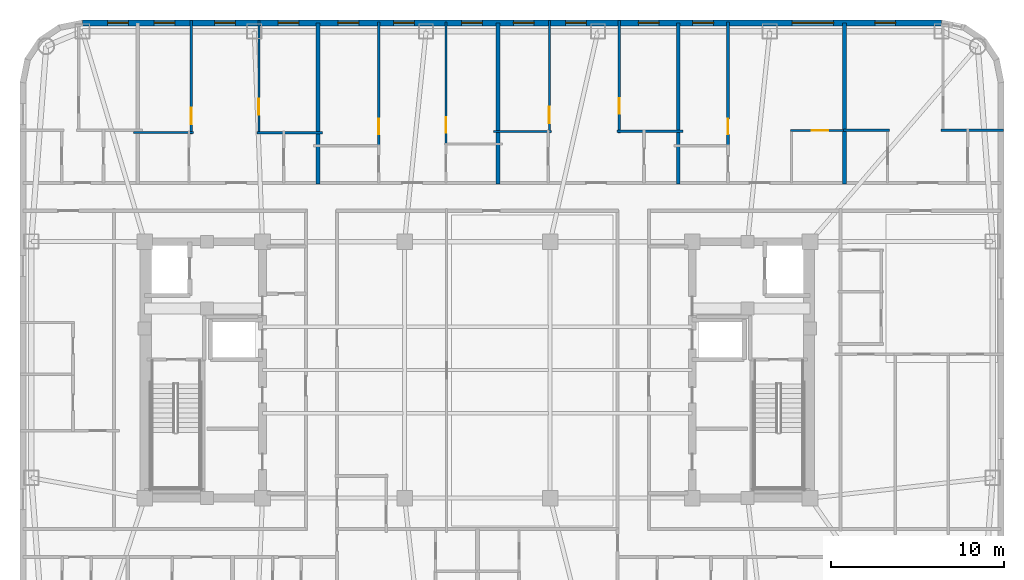
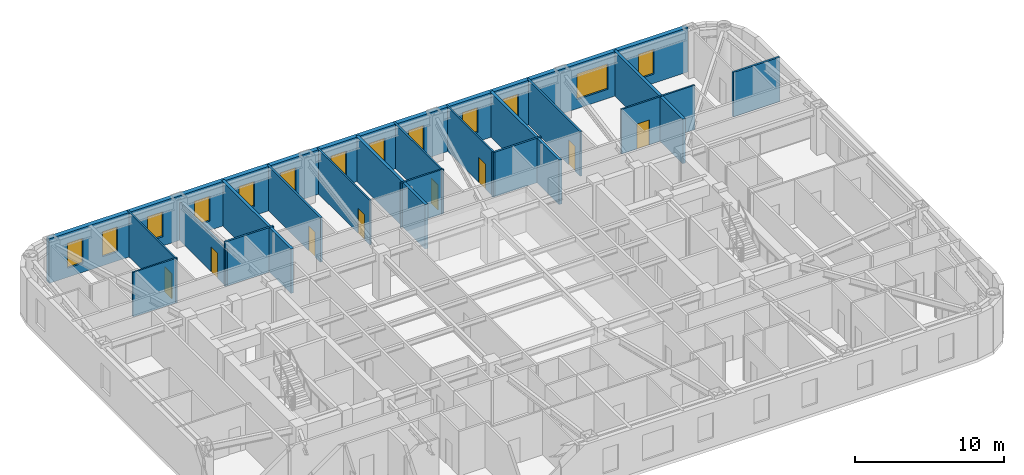
# One storey, part 8 of 11: 19 walls, 13 windows, 8 doors, 21 openings.
"""IFC4 building model written with IfcOpenShell, lengths in metres."""

from ifc_helpers import new_model, si_unit, direction, frame, frame_2d, origin, place, context, subcontext, project, spatial, rectangle, extrude, material, layer, layer_set, type_object, element, fill, save


model = new_model("IFC4")

# Units and contexts
model_context = context("Model", 3, precision=1e-05, world=origin(), true_north=direction((0.0, 1.0)))
body_context = subcontext(model_context, "Body", "Model", "MODEL_VIEW")
ifc_project = project(units=[si_unit("LENGTHUNIT", "METRE"), si_unit("AREAUNIT", "SQUARE_METRE"), si_unit("VOLUMEUNIT", "CUBIC_METRE"), si_unit("PLANEANGLEUNIT", "RADIAN"), si_unit("MASSUNIT", "GRAM", prefix="KILO")], contexts=[model_context])

# Site, building, storey
site_placement = place(None, origin())
site = spatial("IfcSite", under=ifc_project, at=site_placement, CompositionType="ELEMENT")
building_placement = place(site_placement, origin())
building = spatial("IfcBuilding", under=site, at=building_placement, Name="Voryun Gate Residences", CompositionType="ELEMENT")
storey_placement = place(building_placement, frame((0.0, 0.0, 219.699951171875)))
storey = spatial("IfcBuildingStorey", under=building, at=storey_placement, Name="L54", CompositionType="ELEMENT", Elevation=219.699951171875)

# Wall, openings, windows
ifc_material_1 = material(Name="Charcoal terracotta masonry", Category="masonry")
ifc_layer_1 = layer(ifc_material_1, 0.340087890625, Name="W_EXT_TERRACOTTA_340")
ifc_layer_set_1 = layer_set([ifc_layer_1], Name="Charcoal terracotta masonry")
wall_type_1 = type_object("IfcWallType", Name="W_EXT_TERRACOTTA_340", PredefinedType="ELEMENTEDWALL", material=ifc_layer_set_1)
wall_1_placement = place(storey_placement, frame((-22.783203125, 20.030029296875, 0.0), z_axis=(0.0, 0.0, 1.0), x_axis=(1.0, 0.0, 0.0)))
wall_1 = element("IfcWall", 1, at=wall_1_placement, inside=storey, type_object=wall_type_1, Name="Exterior wall WEXT-L54-11", PredefinedType="ELEMENTEDWALL", context=body_context, shape_type="SweptSolid", body=[
    extrude(rectangle(XDim=49.56640625, YDim=0.340087890625, at=frame_2d((24.783203125, 0.0))), origin(), (0.0, 0.0, 1.0), 3.650146484375),
])
opening_1_placement = place(wall_1_placement, frame((40.95556640625, 0.0, 0.75)))
opening_1 = element("IfcOpeningElement", 2, at=opening_1_placement, cuts=wall_1, Name="Opening WN2", PredefinedType="OPENING", context=body_context, shape_type="SweptSolid", body=[
    extrude(rectangle(XDim=2.39990234375, YDim=2.10009765625, at=frame_2d((1.199951171875, 1.050048828125))), frame((0.0, 0.179931640625, 0.0), z_axis=(0.0, -1.0, 0.0), x_axis=(1.0, 0.0, 0.0)), (0.0, 0.0, 1.0), 0.360107421875),
])
opening_2_placement = place(wall_1_placement, frame((1.4365234375, 0.0, 0.75)))
opening_2 = element("IfcOpeningElement", 3, at=opening_2_placement, cuts=wall_1, Name="Opening WN6", PredefinedType="OPENING", context=body_context, shape_type="SweptSolid", body=[
    extrude(rectangle(XDim=1.199951171875, YDim=2.050048828125, at=frame_2d((0.60009765625, 1.02490234375))), frame((0.0, 0.179931640625, 0.0), z_axis=(0.0, -1.0, 0.0), x_axis=(1.0, 0.0, 0.0)), (0.0, 0.0, 1.0), 0.360107421875),
])
opening_3_placement = place(wall_1_placement, frame((7.619384765625, 0.0, 0.75)))
opening_3 = element("IfcOpeningElement", 4, at=opening_3_placement, cuts=wall_1, Name="Opening WN6", PredefinedType="OPENING", context=body_context, shape_type="SweptSolid", body=[
    extrude(rectangle(XDim=1.199951171875, YDim=2.050048828125, at=frame_2d((0.60009765625, 1.02490234375))), frame((0.0, 0.179931640625, 0.0), z_axis=(0.0, -1.0, 0.0), x_axis=(1.0, 0.0, 0.0)), (0.0, 0.0, 1.0), 0.360107421875),
])
opening_4_placement = place(wall_1_placement, frame((4.124267578125, 0.0, 0.75)))
opening_4 = element("IfcOpeningElement", 5, at=opening_4_placement, cuts=wall_1, Name="Opening WN6", PredefinedType="OPENING", context=body_context, shape_type="SweptSolid", body=[
    extrude(rectangle(XDim=1.199951171875, YDim=2.050048828125, at=frame_2d((0.60009765625, 1.02490234375))), frame((0.0, 0.179931640625, 0.0), z_axis=(0.0, -1.0, 0.0), x_axis=(1.0, 0.0, 0.0)), (0.0, 0.0, 1.0), 0.360107421875),
])
opening_5_placement = place(wall_1_placement, frame((11.2783203125, 0.0, 0.75)))
opening_5 = element("IfcOpeningElement", 6, at=opening_5_placement, cuts=wall_1, Name="Opening WN6", PredefinedType="OPENING", context=body_context, shape_type="SweptSolid", body=[
    extrude(rectangle(XDim=1.199951171875, YDim=2.050048828125, at=frame_2d((0.60009765625, 1.02490234375))), frame((0.0, 0.179931640625, 0.0), z_axis=(0.0, -1.0, 0.0), x_axis=(1.0, 0.0, 0.0)), (0.0, 0.0, 1.0), 0.360107421875),
])
opening_6_placement = place(wall_1_placement, frame((17.953369140625, 0.0, 0.75)))
opening_6 = element("IfcOpeningElement", 7, at=opening_6_placement, cuts=wall_1, Name="Opening WN6", PredefinedType="OPENING", context=body_context, shape_type="SweptSolid", body=[
    extrude(rectangle(XDim=1.199951171875, YDim=2.050048828125, at=frame_2d((0.60009765625, 1.02490234375))), frame((0.0, 0.179931640625, 0.0), z_axis=(0.0, -1.0, 0.0), x_axis=(1.0, 0.0, 0.0)), (0.0, 0.0, 1.0), 0.360107421875),
])
opening_7_placement = place(wall_1_placement, frame((14.73828125, 0.0, 0.75)))
opening_7 = element("IfcOpeningElement", 8, at=opening_7_placement, cuts=wall_1, Name="Opening WN6", PredefinedType="OPENING", context=body_context, shape_type="SweptSolid", body=[
    extrude(rectangle(XDim=1.199951171875, YDim=2.050048828125, at=frame_2d((0.60009765625, 1.02490234375))), frame((0.0, 0.179931640625, 0.0), z_axis=(0.0, -1.0, 0.0), x_axis=(1.0, 0.0, 0.0)), (0.0, 0.0, 1.0), 0.360107421875),
])
opening_8_placement = place(wall_1_placement, frame((21.87841796875, 0.0, 0.75)))
opening_8 = element("IfcOpeningElement", 9, at=opening_8_placement, cuts=wall_1, Name="Opening WN6", PredefinedType="OPENING", context=body_context, shape_type="SweptSolid", body=[
    extrude(rectangle(XDim=1.199951171875, YDim=2.050048828125, at=frame_2d((0.60009765625, 1.02490234375))), frame((0.0, 0.179931640625, 0.0), z_axis=(0.0, -1.0, 0.0), x_axis=(1.0, 0.0, 0.0)), (0.0, 0.0, 1.0), 0.360107421875),
])
opening_9_placement = place(wall_1_placement, frame((27.877685546875, 0.0, 0.75)))
opening_9 = element("IfcOpeningElement", 10, at=opening_9_placement, cuts=wall_1, Name="Opening WN6", PredefinedType="OPENING", context=body_context, shape_type="SweptSolid", body=[
    extrude(rectangle(XDim=1.199951171875, YDim=2.050048828125, at=frame_2d((0.60009765625, 1.02490234375))), frame((0.0, 0.179931640625, 0.0), z_axis=(0.0, -1.0, 0.0), x_axis=(1.0, 0.0, 0.0)), (0.0, 0.0, 1.0), 0.360107421875),
])
opening_10_placement = place(wall_1_placement, frame((24.86279296875, 0.0, 0.75)))
opening_10 = element("IfcOpeningElement", 11, at=opening_10_placement, cuts=wall_1, Name="Opening WN6", PredefinedType="OPENING", context=body_context, shape_type="SweptSolid", body=[
    extrude(rectangle(XDim=1.199951171875, YDim=2.050048828125, at=frame_2d((0.60009765625, 1.02490234375))), frame((0.0, 0.179931640625, 0.0), z_axis=(0.0, -1.0, 0.0), x_axis=(1.0, 0.0, 0.0)), (0.0, 0.0, 1.0), 0.360107421875),
])
opening_11_placement = place(wall_1_placement, frame((32.078369140625, 0.0, 0.75)))
opening_11 = element("IfcOpeningElement", 12, at=opening_11_placement, cuts=wall_1, Name="Opening WN6", PredefinedType="OPENING", context=body_context, shape_type="SweptSolid", body=[
    extrude(rectangle(XDim=1.199951171875, YDim=2.050048828125, at=frame_2d((0.60009765625, 1.02490234375))), frame((0.0, 0.179931640625, 0.0), z_axis=(0.0, -1.0, 0.0), x_axis=(1.0, 0.0, 0.0)), (0.0, 0.0, 1.0), 0.360107421875),
])
opening_12_placement = place(wall_1_placement, frame((35.21630859375, 0.0, 0.75)))
opening_12 = element("IfcOpeningElement", 13, at=opening_12_placement, cuts=wall_1, Name="Opening WN6", PredefinedType="OPENING", context=body_context, shape_type="SweptSolid", body=[
    extrude(rectangle(XDim=1.199951171875, YDim=2.050048828125, at=frame_2d((0.60009765625, 1.02490234375))), frame((0.0, 0.179931640625, 0.0), z_axis=(0.0, -1.0, 0.0), x_axis=(1.0, 0.0, 0.0)), (0.0, 0.0, 1.0), 0.360107421875),
])
opening_13_placement = place(wall_1_placement, frame((45.72998046875, 0.0, 0.75)))
opening_13 = element("IfcOpeningElement", 14, at=opening_13_placement, cuts=wall_1, Name="Opening WN6", PredefinedType="OPENING", context=body_context, shape_type="SweptSolid", body=[
    extrude(rectangle(XDim=1.199951171875, YDim=2.050048828125, at=frame_2d((0.60009765625, 1.02490234375))), frame((0.0, 0.179931640625, 0.0), z_axis=(0.0, -1.0, 0.0), x_axis=(1.0, 0.0, 0.0)), (0.0, 0.0, 1.0), 0.360107421875),
])
ifc_material_2 = material(Name="Laminated low-E glass", Category="glass")
window_type_1 = type_object("IfcWindowType", Name="WN_POD_SLOT_1200", PartitioningType="SINGLE_PANEL", PredefinedType="WINDOW", material=ifc_material_2)
window_1_placement = place(opening_2_placement, origin())
window_1 = element("IfcWindow", 15, at=window_1_placement, inside=storey, type_object=window_type_1, Name="Window WN-L54-DWFIX-02", OverallHeight=2.050048828125, OverallWidth=1.199951171875, PartitioningType="SINGLE_PANEL", PredefinedType="WINDOW", context=body_context, shape_type="SweptSolid", body=[
    extrude(rectangle(XDim=1.199951171875, YDim=2.050048828125, at=frame_2d((0.60009765625, 1.02490234375))), frame((0.0, 0.030029296875, 0.0), z_axis=(0.0, -1.0, 0.0), x_axis=(1.0, 0.0, 0.0)), (0.0, 0.0, 1.0), 0.06005859375),
])
fill(opening_2, window_1)
window_2_placement = place(opening_3_placement, origin())
window_2 = element("IfcWindow", 16, at=window_2_placement, inside=storey, type_object=window_type_1, Name="Window WN-L54-DWFIX-03", OverallHeight=2.050048828125, OverallWidth=1.199951171875, PartitioningType="SINGLE_PANEL", PredefinedType="WINDOW", context=body_context, shape_type="SweptSolid", body=[
    extrude(rectangle(XDim=1.199951171875, YDim=2.050048828125, at=frame_2d((0.60009765625, 1.02490234375))), frame((0.0, 0.030029296875, 0.0), z_axis=(0.0, -1.0, 0.0), x_axis=(1.0, 0.0, 0.0)), (0.0, 0.0, 1.0), 0.06005859375),
])
fill(opening_3, window_2)
window_3_placement = place(opening_4_placement, origin())
window_3 = element("IfcWindow", 17, at=window_3_placement, inside=storey, type_object=window_type_1, Name="Window WN-L54-DWFIX-04", OverallHeight=2.050048828125, OverallWidth=1.199951171875, PartitioningType="SINGLE_PANEL", PredefinedType="WINDOW", context=body_context, shape_type="SweptSolid", body=[
    extrude(rectangle(XDim=1.199951171875, YDim=2.050048828125, at=frame_2d((0.60009765625, 1.02490234375))), frame((0.0, 0.030029296875, 0.0), z_axis=(0.0, -1.0, 0.0), x_axis=(1.0, 0.0, 0.0)), (0.0, 0.0, 1.0), 0.06005859375),
])
fill(opening_4, window_3)
window_4_placement = place(opening_5_placement, origin())
window_4 = element("IfcWindow", 18, at=window_4_placement, inside=storey, type_object=window_type_1, Name="Window WN-L54-DWFIX-05", OverallHeight=2.050048828125, OverallWidth=1.199951171875, PartitioningType="SINGLE_PANEL", PredefinedType="WINDOW", context=body_context, shape_type="SweptSolid", body=[
    extrude(rectangle(XDim=1.199951171875, YDim=2.050048828125, at=frame_2d((0.60009765625, 1.02490234375))), frame((0.0, 0.030029296875, 0.0), z_axis=(0.0, -1.0, 0.0), x_axis=(1.0, 0.0, 0.0)), (0.0, 0.0, 1.0), 0.06005859375),
])
fill(opening_5, window_4)
window_5_placement = place(opening_6_placement, origin())
window_5 = element("IfcWindow", 19, at=window_5_placement, inside=storey, type_object=window_type_1, Name="Window WN-L54-DWFIX-06", OverallHeight=2.050048828125, OverallWidth=1.199951171875, PartitioningType="SINGLE_PANEL", PredefinedType="WINDOW", context=body_context, shape_type="SweptSolid", body=[
    extrude(rectangle(XDim=1.199951171875, YDim=2.050048828125, at=frame_2d((0.60009765625, 1.02490234375))), frame((0.0, 0.030029296875, 0.0), z_axis=(0.0, -1.0, 0.0), x_axis=(1.0, 0.0, 0.0)), (0.0, 0.0, 1.0), 0.06005859375),
])
fill(opening_6, window_5)
window_6_placement = place(opening_7_placement, origin())
window_6 = element("IfcWindow", 20, at=window_6_placement, inside=storey, type_object=window_type_1, Name="Window WN-L54-DWFIX-07", OverallHeight=2.050048828125, OverallWidth=1.199951171875, PartitioningType="SINGLE_PANEL", PredefinedType="WINDOW", context=body_context, shape_type="SweptSolid", body=[
    extrude(rectangle(XDim=1.199951171875, YDim=2.050048828125, at=frame_2d((0.60009765625, 1.02490234375))), frame((0.0, 0.030029296875, 0.0), z_axis=(0.0, -1.0, 0.0), x_axis=(1.0, 0.0, 0.0)), (0.0, 0.0, 1.0), 0.06005859375),
])
fill(opening_7, window_6)
window_7_placement = place(opening_8_placement, origin())
window_7 = element("IfcWindow", 21, at=window_7_placement, inside=storey, type_object=window_type_1, Name="Window WN-L54-DWFIX-08", OverallHeight=2.050048828125, OverallWidth=1.199951171875, PartitioningType="SINGLE_PANEL", PredefinedType="WINDOW", context=body_context, shape_type="SweptSolid", body=[
    extrude(rectangle(XDim=1.199951171875, YDim=2.050048828125, at=frame_2d((0.60009765625, 1.02490234375))), frame((0.0, 0.030029296875, 0.0), z_axis=(0.0, -1.0, 0.0), x_axis=(1.0, 0.0, 0.0)), (0.0, 0.0, 1.0), 0.06005859375),
])
fill(opening_8, window_7)
window_8_placement = place(opening_9_placement, origin())
window_8 = element("IfcWindow", 22, at=window_8_placement, inside=storey, type_object=window_type_1, Name="Window WN-L54-DWFIX-09", OverallHeight=2.050048828125, OverallWidth=1.199951171875, PartitioningType="SINGLE_PANEL", PredefinedType="WINDOW", context=body_context, shape_type="SweptSolid", body=[
    extrude(rectangle(XDim=1.199951171875, YDim=2.050048828125, at=frame_2d((0.60009765625, 1.02490234375))), frame((0.0, 0.030029296875, 0.0), z_axis=(0.0, -1.0, 0.0), x_axis=(1.0, 0.0, 0.0)), (0.0, 0.0, 1.0), 0.06005859375),
])
fill(opening_9, window_8)
window_9_placement = place(opening_10_placement, origin())
window_9 = element("IfcWindow", 23, at=window_9_placement, inside=storey, type_object=window_type_1, Name="Window WN-L54-DWFIX-10", OverallHeight=2.050048828125, OverallWidth=1.199951171875, PartitioningType="SINGLE_PANEL", PredefinedType="WINDOW", context=body_context, shape_type="SweptSolid", body=[
    extrude(rectangle(XDim=1.199951171875, YDim=2.050048828125, at=frame_2d((0.60009765625, 1.02490234375))), frame((0.0, 0.030029296875, 0.0), z_axis=(0.0, -1.0, 0.0), x_axis=(1.0, 0.0, 0.0)), (0.0, 0.0, 1.0), 0.06005859375),
])
fill(opening_10, window_9)
window_10_placement = place(opening_11_placement, origin())
window_10 = element("IfcWindow", 24, at=window_10_placement, inside=storey, type_object=window_type_1, Name="Window WN-L54-DWFIX-11", OverallHeight=2.050048828125, OverallWidth=1.199951171875, PartitioningType="SINGLE_PANEL", PredefinedType="WINDOW", context=body_context, shape_type="SweptSolid", body=[
    extrude(rectangle(XDim=1.199951171875, YDim=2.050048828125, at=frame_2d((0.60009765625, 1.02490234375))), frame((0.0, 0.030029296875, 0.0), z_axis=(0.0, -1.0, 0.0), x_axis=(1.0, 0.0, 0.0)), (0.0, 0.0, 1.0), 0.06005859375),
])
fill(opening_11, window_10)
window_11_placement = place(opening_12_placement, origin())
window_11 = element("IfcWindow", 25, at=window_11_placement, inside=storey, type_object=window_type_1, Name="Window WN-L54-DWFIX-12", OverallHeight=2.050048828125, OverallWidth=1.199951171875, PartitioningType="SINGLE_PANEL", PredefinedType="WINDOW", context=body_context, shape_type="SweptSolid", body=[
    extrude(rectangle(XDim=1.199951171875, YDim=2.050048828125, at=frame_2d((0.60009765625, 1.02490234375))), frame((0.0, 0.030029296875, 0.0), z_axis=(0.0, -1.0, 0.0), x_axis=(1.0, 0.0, 0.0)), (0.0, 0.0, 1.0), 0.06005859375),
])
fill(opening_12, window_11)
window_12_placement = place(opening_13_placement, origin())
window_12 = element("IfcWindow", 26, at=window_12_placement, inside=storey, type_object=window_type_1, Name="Window WN-L54-DWFIX-13", OverallHeight=2.050048828125, OverallWidth=1.199951171875, PartitioningType="SINGLE_PANEL", PredefinedType="WINDOW", context=body_context, shape_type="SweptSolid", body=[
    extrude(rectangle(XDim=1.199951171875, YDim=2.050048828125, at=frame_2d((0.60009765625, 1.02490234375))), frame((0.0, 0.030029296875, 0.0), z_axis=(0.0, -1.0, 0.0), x_axis=(1.0, 0.0, 0.0)), (0.0, 0.0, 1.0), 0.06005859375),
])
fill(opening_13, window_12)
ifc_material_3 = material(Name="Laminated low-E glass", Category="glass")
window_type_2 = type_object("IfcWindowType", Name="WN_RES_WIDE_2400", PartitioningType="SINGLE_PANEL", PredefinedType="WINDOW", material=ifc_material_3)
window_13_placement = place(opening_1_placement, origin())
window_13 = element("IfcWindow", 27, at=window_13_placement, inside=storey, type_object=window_type_2, Name="Window WN-WEXT-L54-11-03", OverallHeight=2.10009765625, OverallWidth=2.39990234375, PartitioningType="SINGLE_PANEL", PredefinedType="WINDOW", context=body_context, shape_type="SweptSolid", body=[
    extrude(rectangle(XDim=2.39990234375, YDim=2.10009765625, at=frame_2d((1.199951171875, 1.050048828125))), frame((0.0, 0.030029296875, 0.0), z_axis=(0.0, -1.0, 0.0), x_axis=(1.0, 0.0, 0.0)), (0.0, 0.0, 1.0), 0.06005859375),
])
fill(opening_1, window_13)

# Walls
ifc_material_4 = material(Name="Concrete C40/50", Category="concrete")
ifc_layer_2 = layer(ifc_material_4, 0.219970703125, Name="W_PARTY_ACOUSTIC_220")
ifc_layer_set_2 = layer_set([ifc_layer_2], Name="Concrete C40/50")
wall_type_2 = type_object("IfcWallType", Name="W_PARTY_ACOUSTIC_220", PredefinedType="PARTITIONING", material=ifc_layer_set_2)
for number, where, z_axis, x_axis, name in (
    (28, (-9.199951171875, 10.719970703125, 0.0), (0.0, 0.0, 1.0), (0.0, 1.0, 0.0), "Partition wall WP-L54-NPTY-2"),
    (29, (1.199951171875, 10.719970703125, 0.0), (0.0, 0.0, 1.0), (0.0, 1.0, 0.0), "Partition wall WP-L54-NPTY-3"),
    (30, (11.60009765625, 10.719970703125, 0.0), (0.0, 0.0, 1.0), (0.0, 1.0, 0.0), "Partition wall WP-L54-NPTY-4"),
    (31, (21.199951171875, 10.719970703125, 0.0), (0.0, 0.0, 1.0), (0.0, 1.0, 0.0), "Partition wall WP-L54-NPTY-5"),
):
    element("IfcWall", number, at=place(storey_placement, frame(where, z_axis=z_axis, x_axis=x_axis)), inside=storey, type_object=wall_type_2, Name=name, PredefinedType="PARTITIONING", context=body_context, shape_type="SweptSolid", body=[
        extrude(rectangle(XDim=9.31005859375, YDim=0.219970703125, at=frame_2d((4.655029296875, 0.0))), origin(), (0.0, 0.0, 1.0), 3.650146484375),
    ])

# Wall, opening, door
ifc_material_5 = material(Name="Gypsum acoustic partition")
ifc_layer_3 = layer(ifc_material_5, 0.125, Name="W_UNIT_PART_125")
ifc_layer_set_3 = layer_set([ifc_layer_3], Name="Gypsum acoustic partition")
wall_type_3 = type_object("IfcWallType", Name="W_UNIT_PART_125", PredefinedType="PARTITIONING", material=ifc_layer_set_3)
wall_2_placement = place(storey_placement, frame((-16.51806640625, 13.6201171875, 0.0), z_axis=(0.0, 0.0, 1.0), x_axis=(0.0, 1.0, 0.0)))
wall_2 = element("IfcWall", 32, at=wall_2_placement, inside=storey, type_object=wall_type_3, Name="Partition wall WP-L54-N2-OVL", PredefinedType="PARTITIONING", context=body_context, shape_type="SweptSolid", body=[
    extrude(rectangle(XDim=6.559814453125, YDim=0.125, at=frame_2d((3.27978515625, 0.0))), origin(), (0.0, 0.0, 1.0), 3.650146484375),
])
opening_14_placement = place(wall_2_placement, frame((0.57470703125, 0.0, 0.0)))
opening_14 = element("IfcOpeningElement", 33, at=opening_14_placement, cuts=wall_2, Name="Opening D-INT-1", PredefinedType="OPENING", context=body_context, shape_type="SweptSolid", body=[
    extrude(rectangle(XDim=0.949951171875, YDim=2.050048828125, at=frame_2d((0.47509765625, 1.02490234375))), frame((0.0, 0.072509765625, 0.0), z_axis=(0.0, -1.0, 0.0), x_axis=(1.0, 0.0, 0.0)), (0.0, 0.0, 1.0), 0.14501953125),
])
ifc_material_6 = material(Name="Architectural oak veneer")
door_type_1 = type_object("IfcDoorType", Name="DR_INT_ROOM_950", OperationType="NOTDEFINED", PredefinedType="DOOR", material=ifc_material_6)
door_1_placement = place(opening_14_placement, origin())
door_1 = element("IfcDoor", 34, at=door_1_placement, inside=storey, type_object=door_type_1, Name="Door DR-L54-N2-DB2", OperationType="SINGLE_SWING_LEFT", OverallHeight=2.050048828125, OverallWidth=0.949951171875, PredefinedType="DOOR", context=body_context, shape_type="SweptSolid", body=[
    extrude(rectangle(XDim=0.949951171875, YDim=2.050048828125, at=frame_2d((0.47509765625, 1.02490234375))), frame((0.0, 0.02490234375, 0.0), z_axis=(0.0, -1.0, 0.0), x_axis=(1.0, 0.0, 0.0)), (0.0, 0.0, 1.0), 0.050048828125),
])
fill(opening_14, door_1)

wall_3_placement = place(storey_placement, frame((-12.610107421875, 13.6201171875, 0.0), z_axis=(0.0, 0.0, 1.0), x_axis=(0.0, 1.0, 0.0)))
wall_3 = element("IfcWall", 35, at=wall_3_placement, inside=storey, type_object=wall_type_3, Name="Partition wall WP-L54-N2-OVR", PredefinedType="PARTITIONING", context=body_context, shape_type="SweptSolid", body=[
    extrude(rectangle(XDim=6.559814453125, YDim=0.125, at=frame_2d((3.27978515625, 0.0))), origin(), (0.0, 0.0, 1.0), 3.090087890625),
])
opening_15_placement = place(wall_3_placement, frame((1.12451171875, 0.0, 0.0)))
opening_15 = element("IfcOpeningElement", 36, at=opening_15_placement, cuts=wall_3, Name="Opening D-INT-2", PredefinedType="OPENING", context=body_context, shape_type="SweptSolid", body=[
    extrude(rectangle(XDim=0.89990234375, YDim=2.050048828125, at=frame_2d((0.449951171875, 1.02490234375))), frame((0.0, 0.072509765625, 0.0), z_axis=(0.0, -1.0, 0.0), x_axis=(1.0, 0.0, 0.0)), (0.0, 0.0, 1.0), 0.14501953125),
])
ifc_material_7 = material(Name="Architectural oak veneer")
door_type_2 = type_object("IfcDoorType", Name="DR_INT_BATH_900", OperationType="NOTDEFINED", PredefinedType="DOOR", material=ifc_material_7)
door_2_placement = place(opening_15_placement, origin())
door_2 = element("IfcDoor", 37, at=door_2_placement, inside=storey, type_object=door_type_2, Name="Door DR-L54-N2-DMB", OperationType="SINGLE_SWING_RIGHT", OverallHeight=2.050048828125, OverallWidth=0.89990234375, PredefinedType="DOOR", context=body_context, shape_type="SweptSolid", body=[
    extrude(rectangle(XDim=0.89990234375, YDim=2.050048828125, at=frame_2d((0.449951171875, 1.02490234375))), frame((0.0, 0.02490234375, 0.0), z_axis=(0.0, -1.0, 0.0), x_axis=(1.0, 0.0, 0.0)), (0.0, 0.0, 1.0), 0.050048828125),
])
fill(opening_15, door_2)

# Wall
wall_4_placement = place(storey_placement, frame((-19.860107421875, 13.699951171875, 0.0), z_axis=(0.0, 0.0, 1.0), x_axis=(1.0, 0.0, 0.0)))
element("IfcWall", 38, at=wall_4_placement, inside=storey, type_object=wall_type_3, Name="Partition wall WP-L54-N2-HZK", PredefinedType="PARTITIONING", context=body_context, shape_type="SweptSolid", body=[
    extrude(rectangle(XDim=3.462158203125, YDim=0.125, at=frame_2d((1.73095703125, 0.0))), origin(), (0.0, 0.0, 1.0), 3.650146484375),
])

# Wall, opening, door
wall_5_placement = place(storey_placement, frame((-1.81005859375, 13.0, 0.0), z_axis=(0.0, 0.0, 1.0), x_axis=(0.0, 1.0, 0.0)))
wall_5 = element("IfcWall", 39, at=wall_5_placement, inside=storey, type_object=wall_type_3, Name="Partition wall WP-L54-N3-RVX2", PredefinedType="PARTITIONING", context=body_context, shape_type="SweptSolid", body=[
    extrude(rectangle(XDim=7.076904296875, YDim=0.125, at=frame_2d((3.53857421875, 0.0))), origin(), (0.0, 0.0, 1.0), 3.650146484375),
])
opening_16_placement = place(wall_5_placement, frame((0.682373046875, 0.0, 0.0)))
opening_16 = element("IfcOpeningElement", 40, at=opening_16_placement, cuts=wall_5, Name="Opening D-INT-2", PredefinedType="OPENING", context=body_context, shape_type="SweptSolid", body=[
    extrude(rectangle(XDim=0.89990234375, YDim=2.050048828125, at=frame_2d((0.449951171875, 1.02490234375))), frame((0.0, 0.072509765625, 0.0), z_axis=(0.0, -1.0, 0.0), x_axis=(1.0, 0.0, 0.0)), (0.0, 0.0, 1.0), 0.14501953125),
])
door_3_placement = place(opening_16_placement, origin())
door_3 = element("IfcDoor", 41, at=door_3_placement, inside=storey, type_object=door_type_2, Name="Door DR-L54-N3-DB2", OperationType="SINGLE_SWING_LEFT", OverallHeight=2.050048828125, OverallWidth=0.89990234375, PredefinedType="DOOR", context=body_context, shape_type="SweptSolid", body=[
    extrude(rectangle(XDim=0.89990234375, YDim=2.050048828125, at=frame_2d((0.449951171875, 1.02490234375))), frame((0.0, 0.02490234375, 0.0), z_axis=(0.0, -1.0, 0.0), x_axis=(1.0, 0.0, 0.0)), (0.0, 0.0, 1.0), 0.050048828125),
])
fill(opening_16, door_3)

wall_6_placement = place(storey_placement, frame((4.158935546875, 13.68896484375, 0.0), z_axis=(0.0, 0.0, 1.0), x_axis=(0.0, 1.0, 0.0)))
wall_6 = element("IfcWall", 42, at=wall_6_placement, inside=storey, type_object=wall_type_3, Name="Partition wall WP-L54-N4-OVL", PredefinedType="PARTITIONING", context=body_context, shape_type="SweptSolid", body=[
    extrude(rectangle(XDim=6.490966796875, YDim=0.125, at=frame_2d((3.24560546875, 0.0))), origin(), (0.0, 0.0, 1.0), 3.650146484375),
])
opening_17_placement = place(wall_6_placement, frame((0.563720703125, 0.0, 0.0)))
opening_17 = element("IfcOpeningElement", 43, at=opening_17_placement, cuts=wall_6, Name="Opening D-INT-1", PredefinedType="OPENING", context=body_context, shape_type="SweptSolid", body=[
    extrude(rectangle(XDim=0.949951171875, YDim=2.050048828125, at=frame_2d((0.47509765625, 1.02490234375))), frame((0.0, 0.072509765625, 0.0), z_axis=(0.0, -1.0, 0.0), x_axis=(1.0, 0.0, 0.0)), (0.0, 0.0, 1.0), 0.14501953125),
])
door_4_placement = place(opening_17_placement, origin())
door_4 = element("IfcDoor", 44, at=door_4_placement, inside=storey, type_object=door_type_1, Name="Door DR-L54-N4-DB2", OperationType="SINGLE_SWING_LEFT", OverallHeight=2.050048828125, OverallWidth=0.949951171875, PredefinedType="DOOR", context=body_context, shape_type="SweptSolid", body=[
    extrude(rectangle(XDim=0.949951171875, YDim=2.050048828125, at=frame_2d((0.47509765625, 1.02490234375))), frame((0.0, 0.02490234375, 0.0), z_axis=(0.0, -1.0, 0.0), x_axis=(1.0, 0.0, 0.0)), (0.0, 0.0, 1.0), 0.050048828125),
])
fill(opening_17, door_4)

wall_7_placement = place(storey_placement, frame((8.18994140625, 13.68896484375, 0.0), z_axis=(0.0, 0.0, 1.0), x_axis=(0.0, 1.0, 0.0)))
wall_7 = element("IfcWall", 45, at=wall_7_placement, inside=storey, type_object=wall_type_3, Name="Partition wall WP-L54-N4-OVR", PredefinedType="PARTITIONING", context=body_context, shape_type="SweptSolid", body=[
    extrude(rectangle(XDim=6.490966796875, YDim=0.125, at=frame_2d((3.24560546875, 0.0))), origin(), (0.0, 0.0, 1.0), 3.650146484375),
])
opening_18_placement = place(wall_7_placement, frame((1.10791015625, 0.0, 0.0)))
opening_18 = element("IfcOpeningElement", 46, at=opening_18_placement, cuts=wall_7, Name="Opening D-INT-2", PredefinedType="OPENING", context=body_context, shape_type="SweptSolid", body=[
    extrude(rectangle(XDim=0.89990234375, YDim=2.050048828125, at=frame_2d((0.449951171875, 1.02490234375))), frame((0.0, 0.072509765625, 0.0), z_axis=(0.0, -1.0, 0.0), x_axis=(1.0, 0.0, 0.0)), (0.0, 0.0, 1.0), 0.14501953125),
])
door_5_placement = place(opening_18_placement, origin())
door_5 = element("IfcDoor", 47, at=door_5_placement, inside=storey, type_object=door_type_2, Name="Door DR-L54-N4-DMB", OperationType="SINGLE_SWING_RIGHT", OverallHeight=2.050048828125, OverallWidth=0.89990234375, PredefinedType="DOOR", context=body_context, shape_type="SweptSolid", body=[
    extrude(rectangle(XDim=0.89990234375, YDim=2.050048828125, at=frame_2d((0.449951171875, 1.02490234375))), frame((0.0, 0.02490234375, 0.0), z_axis=(0.0, -1.0, 0.0), x_axis=(1.0, 0.0, 0.0)), (0.0, 0.0, 1.0), 0.050048828125),
])
fill(opening_18, door_5)

# Wall
wall_8_placement = place(storey_placement, frame((0.93994140625, 13.76904296875, 0.0), z_axis=(0.0, 0.0, 1.0), x_axis=(1.0, 0.0, 0.0)))
element("IfcWall", 48, at=wall_8_placement, inside=storey, type_object=wall_type_3, Name="Partition wall WP-L54-N4-HZK", PredefinedType="PARTITIONING", context=body_context, shape_type="SweptSolid", body=[
    extrude(rectangle(XDim=3.339111328125, YDim=0.125, at=frame_2d((1.66943359375, 0.0))), origin(), (0.0, 0.0, 1.0), 3.650146484375),
])

# Wall, opening, door
wall_9_placement = place(storey_placement, frame((18.076904296875, 13.820068359375, 0.0), z_axis=(0.0, 0.0, 1.0), x_axis=(1.0, 0.0, 0.0)))
wall_9 = element("IfcWall", 49, at=wall_9_placement, inside=storey, type_object=wall_type_3, Name="Partition wall WP-L54-N5-KHY", PredefinedType="PARTITIONING", context=body_context, shape_type="SweptSolid", body=[
    extrude(rectangle(XDim=3.185546875, YDim=0.125, at=frame_2d((1.5927734375, 0.0))), origin(), (0.0, 0.0, 1.0), 3.650146484375),
])
opening_19_placement = place(wall_9_placement, frame((1.216552734375, 0.0, 0.0)))
opening_19 = element("IfcOpeningElement", 50, at=opening_19_placement, cuts=wall_9, Name="Opening D-INT-1", PredefinedType="OPENING", context=body_context, shape_type="SweptSolid", body=[
    extrude(rectangle(XDim=0.949951171875, YDim=2.050048828125, at=frame_2d((0.47509765625, 1.02490234375))), frame((0.0, 0.072509765625, 0.0), z_axis=(0.0, -1.0, 0.0), x_axis=(1.0, 0.0, 0.0)), (0.0, 0.0, 1.0), 0.14501953125),
])
door_6_placement = place(opening_19_placement, origin())
door_6 = element("IfcDoor", 51, at=door_6_placement, inside=storey, type_object=door_type_1, Name="Door DR-L54-N5-DK", OperationType="SINGLE_SWING_LEFT", OverallHeight=2.050048828125, OverallWidth=0.949951171875, PredefinedType="DOOR", context=body_context, shape_type="SweptSolid", body=[
    extrude(rectangle(XDim=0.949951171875, YDim=2.050048828125, at=frame_2d((0.47509765625, 1.02490234375))), frame((0.0, 0.02490234375, 0.0), z_axis=(0.0, -1.0, 0.0), x_axis=(1.0, 0.0, 0.0)), (0.0, 0.0, 1.0), 0.050048828125),
])
fill(opening_19, door_6)

# Walls
wall_10_placement = place(storey_placement, frame((21.137451171875, 13.839111328125, 0.0), z_axis=(0.0, 0.0, 1.0), x_axis=(1.0, 0.0, 0.0)))
element("IfcWall", 52, at=wall_10_placement, inside=storey, type_object=wall_type_3, Name="Partition wall WP-L54-N6-HZK", PredefinedType="PARTITIONING", context=body_context, shape_type="SweptSolid", body=[
    extrude(rectangle(XDim=2.66650390625, YDim=0.125, at=frame_2d((1.333251953125, 0.0))), origin(), (0.0, 0.0, 1.0), 3.650146484375),
])
ifc_material_8 = material(Name="Gypsum moisture-resistant partition")
ifc_layer_4 = layer(ifc_material_8, 0.14990234375, Name="W_WET_PLUMB_150")
ifc_layer_set_4 = layer_set([ifc_layer_4], Name="Gypsum moisture-resistant partition")
wall_type_4 = type_object("IfcWallType", Name="W_WET_PLUMB_150", PredefinedType="PLUMBINGWALL", material=ifc_layer_set_4)
wall_11_placement = place(storey_placement, frame((-12.72998046875, 13.699951171875, 0.0), z_axis=(0.0, 0.0, 1.0), x_axis=(1.0, 0.0, 0.0)))
element("IfcWall", 53, at=wall_11_placement, inside=storey, type_object=wall_type_4, Name="Partition wall WP-L54-N2-HZB", PredefinedType="PLUMBINGWALL", context=body_context, shape_type="SweptSolid", body=[
    extrude(rectangle(XDim=3.7900390625, YDim=0.14990234375, at=frame_2d((1.89501953125, 0.0))), origin(), (0.0, 0.0, 1.0), 3.650146484375),
])

# Wall, opening, door
wall_12_placement = place(storey_placement, frame((-5.68994140625, 12.89990234375, 0.0), z_axis=(0.0, 0.0, 1.0), x_axis=(0.0, 1.0, 0.0)))
wall_12 = element("IfcWall", 54, at=wall_12_placement, inside=storey, type_object=wall_type_4, Name="Partition wall WP-L54-N3-LVX2", PredefinedType="PLUMBINGWALL", context=body_context, shape_type="SweptSolid", body=[
    extrude(rectangle(XDim=7.177001953125, YDim=0.14990234375, at=frame_2d((3.58837890625, 0.0))), origin(), (0.0, 0.0, 1.0), 3.650146484375),
])
opening_20_placement = place(wall_12_placement, frame((0.6982421875, 0.0, 0.0)))
opening_20 = element("IfcOpeningElement", 55, at=opening_20_placement, cuts=wall_12, Name="Opening D-INT-2", PredefinedType="OPENING", context=body_context, shape_type="SweptSolid", body=[
    extrude(rectangle(XDim=0.89990234375, YDim=2.050048828125, at=frame_2d((0.449951171875, 1.02490234375))), frame((0.0, 0.0849609375, 0.0), z_axis=(0.0, -1.0, 0.0), x_axis=(1.0, 0.0, 0.0)), (0.0, 0.0, 1.0), 0.169921875),
])
door_7_placement = place(opening_20_placement, origin())
door_7 = element("IfcDoor", 56, at=door_7_placement, inside=storey, type_object=door_type_2, Name="Door DR-L54-N3-DMB", OperationType="SINGLE_SWING_RIGHT", OverallHeight=2.050048828125, OverallWidth=0.89990234375, PredefinedType="DOOR", context=body_context, shape_type="SweptSolid", body=[
    extrude(rectangle(XDim=0.89990234375, YDim=2.050048828125, at=frame_2d((0.449951171875, 1.02490234375))), frame((0.0, 0.02490234375, 0.0), z_axis=(0.0, -1.0, 0.0), x_axis=(1.0, 0.0, 0.0)), (0.0, 0.0, 1.0), 0.050048828125),
])
fill(opening_20, door_7)

# Wall
wall_13_placement = place(storey_placement, frame((8.070068359375, 13.76904296875, 0.0), z_axis=(0.0, 0.0, 1.0), x_axis=(1.0, 0.0, 0.0)))
element("IfcWall", 57, at=wall_13_placement, inside=storey, type_object=wall_type_4, Name="Partition wall WP-L54-N4-HZB", PredefinedType="PLUMBINGWALL", context=body_context, shape_type="SweptSolid", body=[
    extrude(rectangle(XDim=3.7900390625, YDim=0.14990234375, at=frame_2d((1.89501953125, 0.0))), origin(), (0.0, 0.0, 1.0), 3.650146484375),
])

# Wall, opening, door
wall_14_placement = place(storey_placement, frame((14.466064453125, 12.89990234375, 0.0), z_axis=(0.0, 0.0, 1.0), x_axis=(0.0, 1.0, 0.0)))
wall_14 = element("IfcWall", 58, at=wall_14_placement, inside=storey, type_object=wall_type_4, Name="Partition wall WP-L54-N5-LVX2", PredefinedType="PLUMBINGWALL", context=body_context, shape_type="SweptSolid", body=[
    extrude(rectangle(XDim=7.177001953125, YDim=0.14990234375, at=frame_2d((3.58837890625, 0.0))), origin(), (0.0, 0.0, 1.0), 3.650146484375),
])
opening_21_placement = place(wall_14_placement, frame((0.6982421875, 0.0, 0.0)))
opening_21 = element("IfcOpeningElement", 59, at=opening_21_placement, cuts=wall_14, Name="Opening D-INT-2", PredefinedType="OPENING", context=body_context, shape_type="SweptSolid", body=[
    extrude(rectangle(XDim=0.89990234375, YDim=2.050048828125, at=frame_2d((0.449951171875, 1.02490234375))), frame((0.0, 0.0849609375, 0.0), z_axis=(0.0, -1.0, 0.0), x_axis=(1.0, 0.0, 0.0)), (0.0, 0.0, 1.0), 0.169921875),
])
door_8_placement = place(opening_21_placement, origin())
door_8 = element("IfcDoor", 60, at=door_8_placement, inside=storey, type_object=door_type_2, Name="Door DR-L54-N5-DMB", OperationType="SINGLE_SWING_RIGHT", OverallHeight=2.050048828125, OverallWidth=0.89990234375, PredefinedType="DOOR", context=body_context, shape_type="SweptSolid", body=[
    extrude(rectangle(XDim=0.89990234375, YDim=2.050048828125, at=frame_2d((0.449951171875, 1.02490234375))), frame((0.0, 0.02490234375, 0.0), z_axis=(0.0, -1.0, 0.0), x_axis=(1.0, 0.0, 0.0)), (0.0, 0.0, 1.0), 0.050048828125),
])
fill(opening_21, door_8)

# Wall
wall_15_placement = place(storey_placement, frame((26.76708984375, 13.839111328125, 0.0), z_axis=(0.0, 0.0, 1.0), x_axis=(1.0, 0.0, 0.0)))
element("IfcWall", 61, at=wall_15_placement, inside=storey, type_object=wall_type_4, Name="Partition wall WP-L54-N6-HZB", PredefinedType="PLUMBINGWALL", context=body_context, shape_type="SweptSolid", body=[
    extrude(rectangle(XDim=3.61279296875, YDim=0.14990234375, at=frame_2d((1.806396484375, 0.0))), origin(), (0.0, 0.0, 1.0), 3.650146484375),
])

save(model, "model.ifc")
